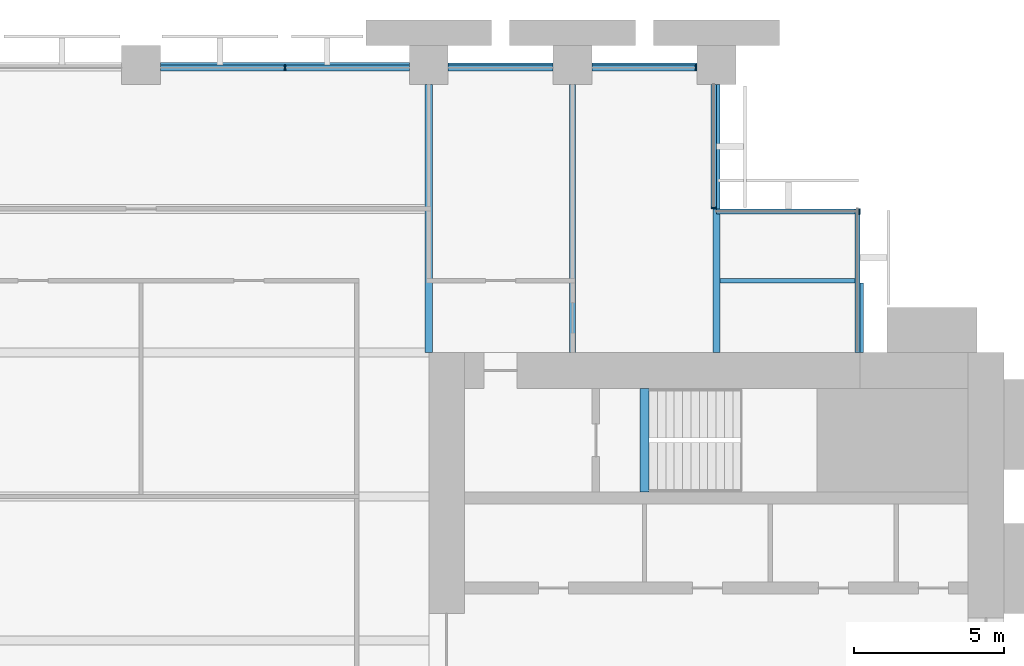
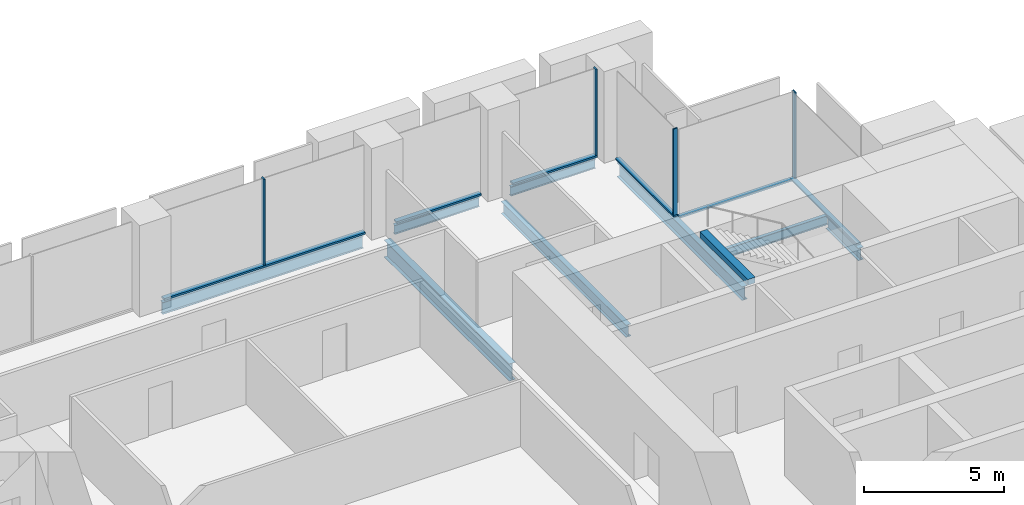
# One storey, part 7 of 14: 10 members, 9 beams, 4 elements without a shape of their own.
"""IFC4 building model written with IfcOpenShell, lengths in metres."""

from ifc_helpers import new_model, si_unit, direction, frame, origin, origin_2d, place, context, subcontext, project, spatial, rectangle, i_section, extrude, material, material_profile, profile_set, type_object, element, aggregate, save


model = new_model("IFC4")

# Units and contexts
model_context = context("Model", 3, precision=1e-05, world=origin(), true_north=direction((0.0, 1.0)))
body_context = subcontext(model_context, "Body", "Model", "MODEL_VIEW")
ifc_project = project(units=[si_unit("LENGTHUNIT", "METRE"), si_unit("AREAUNIT", "SQUARE_METRE"), si_unit("VOLUMEUNIT", "CUBIC_METRE"), si_unit("PLANEANGLEUNIT", "RADIAN"), si_unit("MASSUNIT", "GRAM", prefix="KILO")], contexts=[model_context])

# Site, building, storey
site_placement = place(None, origin())
site = spatial("IfcSite", under=ifc_project, at=site_placement, CompositionType="ELEMENT")
building_placement = place(site_placement, origin())
building = spatial("IfcBuilding", under=site, at=building_placement, Name="Baori Bourse Tower", CompositionType="ELEMENT")
storey_placement = place(building_placement, frame((0.0, 0.0, 43.0)))
storey = spatial("IfcBuildingStorey", under=building, at=storey_placement, Name="L08", CompositionType="ELEMENT", Elevation=43.0)

# Curtain wall, members
ifc_material_1 = material(Name="Pale anodised aluminium", Category="aluminium")
curtain_wall_type_1 = type_object("IfcCurtainWallType", Name="CW1 Curtain wall", PredefinedType="NOTDEFINED", material=ifc_material_1)
curtain_wall_1_placement = place(storey_placement, origin())
curtain_wall_1 = element("IfcCurtainWall", 1, at=curtain_wall_1_placement, inside=storey, type_object=curtain_wall_type_1, Name="Curtain wall CW1 L08 4", PredefinedType="NOTDEFINED")
ifc_material_2 = material(Name="Pale anodised aluminium", Category="aluminium")
ifc_material_profile_1 = material_profile(ifc_material_2, rectangle(XDim=0.199951171875, YDim=0.06005859375, at=origin_2d()), Name="Mullion 60x200")
ifc_profile_set_1 = profile_set([ifc_material_profile_1], Name="Pale anodised aluminium")
member_type_1 = type_object("IfcMemberType", Name="CW1 Curtain wall mullion", PredefinedType="MULLION", material=ifc_profile_set_1)
member_1_placement = place(storey_placement, frame((47.320068359375, 47.89990234375, 0.080078125), z_axis=(0.0, 0.0, 1.0), x_axis=(0.0, -1.0, 0.0)))
member_1 = element("IfcMember", 2, at=member_1_placement, type_object=member_type_1, Name="Curtain wall CW1 mullion", PredefinedType="MULLION", context=body_context, shape_type="SweptSolid", body=[
    extrude(rectangle(XDim=0.199951171875, YDim=0.06005859375, at=origin_2d()), origin(), (0.0, 0.0, 1.0), 3.760009765625),
])
member_2_placement = place(storey_placement, frame((33.60009765625, 47.89990234375, 0.080078125), z_axis=(0.0, 0.0, 1.0), x_axis=(0.0, -1.0, 0.0)))
member_2 = element("IfcMember", 3, at=member_2_placement, type_object=member_type_1, Name="Curtain wall CW1 mullion", PredefinedType="MULLION", context=body_context, shape_type="SweptSolid", body=[
    extrude(rectangle(XDim=0.199951171875, YDim=0.06005859375, at=origin_2d()), origin(), (0.0, 0.0, 1.0), 3.760009765625),
])
ifc_material_3 = material(Name="Pale anodised aluminium", Category="aluminium")
ifc_material_profile_2 = material_profile(ifc_material_3, rectangle(XDim=0.199951171875, YDim=0.080078125, at=origin_2d()), Name="Transom 80x200")
ifc_profile_set_2 = profile_set([ifc_material_profile_2], Name="Pale anodised aluminium")
member_type_2 = type_object("IfcMemberType", Name="CW1 Curtain wall transom", PredefinedType="USERDEFINED", material=ifc_profile_set_2)
member_3_placement = place(storey_placement, frame((47.35009765625, 47.89990234375, 0.0400390625), z_axis=(-1.0, 0.0, 0.0), x_axis=(0.0, -1.0, 0.0)))
member_3 = element("IfcMember", 4, at=member_3_placement, type_object=member_type_2, Name="Curtain wall CW1 sill rail", ObjectType="TRANSOM", PredefinedType="USERDEFINED", context=body_context, shape_type="SweptSolid", body=[
    extrude(rectangle(XDim=0.199951171875, YDim=0.080078125, at=origin_2d()), origin(), (0.0, 0.0, 1.0), 3.5),
])
member_4_placement = place(storey_placement, frame((42.550048828125, 47.89990234375, 0.0400390625), z_axis=(-1.0, 0.0, 0.0), x_axis=(0.0, -1.0, 0.0)))
member_4 = element("IfcMember", 5, at=member_4_placement, type_object=member_type_2, Name="Curtain wall CW1 sill rail", ObjectType="TRANSOM", PredefinedType="USERDEFINED", context=body_context, shape_type="SweptSolid", body=[
    extrude(rectangle(XDim=0.199951171875, YDim=0.080078125, at=origin_2d()), origin(), (0.0, 0.0, 1.0), 3.5),
])
member_5_placement = place(storey_placement, frame((37.75, 47.89990234375, 0.0400390625), z_axis=(-1.0, 0.0, 0.0), x_axis=(0.0, -1.0, 0.0)))
member_5 = element("IfcMember", 6, at=member_5_placement, type_object=member_type_2, Name="Curtain wall CW1 sill rail", ObjectType="TRANSOM", PredefinedType="USERDEFINED", context=body_context, shape_type="SweptSolid", body=[
    extrude(rectangle(XDim=0.199951171875, YDim=0.080078125, at=origin_2d()), origin(), (0.0, 0.0, 1.0), 8.300048828125),
])
aggregate(curtain_wall_1, [member_3, member_1, member_4, member_5, member_2])

# Curtain wall, member
ifc_material_4 = material(Name="Pale anodised aluminium", Category="aluminium")
curtain_wall_type_2 = type_object("IfcCurtainWallType", Name="CW2 Curtain wall", PredefinedType="NOTDEFINED", material=ifc_material_4)
curtain_wall_2_placement = place(storey_placement, origin())
curtain_wall_2 = element("IfcCurtainWall", 7, at=curtain_wall_2_placement, inside=storey, type_object=curtain_wall_type_2, Name="Curtain wall CW2 L08 2", PredefinedType="NOTDEFINED")
ifc_material_5 = material(Name="Pale anodised aluminium", Category="aluminium")
ifc_material_profile_3 = material_profile(ifc_material_5, rectangle(XDim=0.179931640625, YDim=0.054931640625, at=origin_2d()), Name="Mullion 55x180")
ifc_profile_set_3 = profile_set([ifc_material_profile_3], Name="Pale anodised aluminium")
member_type_3 = type_object("IfcMemberType", Name="CW2 Curtain wall mullion", PredefinedType="MULLION", material=ifc_profile_set_3)
member_6_placement = place(storey_placement, frame((52.7724609375, 43.110107421875, 0.070068359375), z_axis=(0.0, 0.0, 1.0), x_axis=(0.0, -1.0, 0.0)))
member_6 = element("IfcMember", 8, at=member_6_placement, type_object=member_type_3, Name="Curtain wall CW2 mullion", PredefinedType="MULLION", context=body_context, shape_type="SweptSolid", body=[
    extrude(rectangle(XDim=0.179931640625, YDim=0.054931640625, at=origin_2d()), origin(), (0.0, 0.0, 1.0), 3.77001953125),
])

curtain_wall_3_placement = place(storey_placement, origin())
curtain_wall_3 = element("IfcCurtainWall", 9, at=curtain_wall_3_placement, inside=storey, type_object=curtain_wall_type_2, Name="Curtain wall CW2 L08 3", PredefinedType="NOTDEFINED")
member_7_placement = place(storey_placement, frame((47.909912109375, 43.2275390625, 0.070068359375), z_axis=(0.0, 0.0, 1.0), x_axis=(-1.0, 0.0, 0.0)))
member_7 = element("IfcMember", 10, at=member_7_placement, type_object=member_type_3, Name="Curtain wall CW2 mullion", PredefinedType="MULLION", context=body_context, shape_type="SweptSolid", body=[
    extrude(rectangle(XDim=0.179931640625, YDim=0.054931640625, at=origin_2d()), origin(), (0.0, 0.0, 1.0), 3.77001953125),
])

curtain_wall_4_placement = place(storey_placement, origin())
curtain_wall_4 = element("IfcCurtainWall", 11, at=curtain_wall_4_placement, inside=storey, type_object=curtain_wall_type_2, Name="Curtain wall CW2 L08 1", PredefinedType="NOTDEFINED")
ifc_material_6 = material(Name="Pale anodised aluminium", Category="aluminium")
ifc_material_profile_4 = material_profile(ifc_material_6, rectangle(XDim=0.179931640625, YDim=0.070068359375, at=origin_2d()), Name="Transom 70x180")
ifc_profile_set_4 = profile_set([ifc_material_profile_4], Name="Pale anodised aluminium")
member_type_4 = type_object("IfcMemberType", Name="CW2 Curtain wall transom", PredefinedType="USERDEFINED", material=ifc_profile_set_4)
member_8_placement = place(storey_placement, frame((52.7099609375, 38.39990234375, 0.034912109375), z_axis=(0.0, 1.0, 0.0), x_axis=(-1.0, 0.0, 0.0)))
member_8 = element("IfcMember", 12, at=member_8_placement, type_object=member_type_4, Name="Curtain wall CW2 sill rail", ObjectType="TRANSOM", PredefinedType="USERDEFINED", context=body_context, shape_type="SweptSolid", body=[
    extrude(rectangle(XDim=0.179931640625, YDim=0.070068359375, at=origin_2d()), origin(), (0.0, 0.0, 1.0), 4.800048828125),
])
aggregate(curtain_wall_4, [member_8])

# Member
member_9_placement = place(storey_placement, frame((52.800048828125, 43.110107421875, 0.034912109375), z_axis=(-1.0, 0.0, 0.0), x_axis=(0.0, -1.0, 0.0)))
member_9 = element("IfcMember", 13, at=member_9_placement, type_object=member_type_4, Name="Curtain wall CW2 sill rail", ObjectType="TRANSOM", PredefinedType="USERDEFINED", context=body_context, shape_type="SweptSolid", body=[
    extrude(rectangle(XDim=0.179931640625, YDim=0.070068359375, at=origin_2d()), origin(), (0.0, 0.0, 1.0), 4.800048828125),
])

aggregate(curtain_wall_2, [member_9, member_6])

member_10_placement = place(storey_placement, frame((47.909912109375, 43.199951171875, 0.034912109375), z_axis=(0.0, 1.0, 0.0), x_axis=(-1.0, 0.0, 0.0)))
member_10 = element("IfcMember", 14, at=member_10_placement, type_object=member_type_4, Name="Curtain wall CW2 sill rail", ObjectType="TRANSOM", PredefinedType="USERDEFINED", context=body_context, shape_type="SweptSolid", body=[
    extrude(rectangle(XDim=0.179931640625, YDim=0.070068359375, at=origin_2d()), origin(), (0.0, 0.0, 1.0), 4.150146484375),
])

aggregate(curtain_wall_3, [member_10, member_7])

# Beams
ifc_material_7 = material(Name="Steel A992 Gr 50", Category="steel")
ifc_material_profile_5 = material_profile(ifc_material_7, i_section(OverallWidth=0.21240234375, OverallDepth=0.54345703125, WebThickness=0.01318359375, FlangeThickness=0.021240234375, at=origin_2d()), Name="W21x83")
ifc_profile_set_5 = profile_set([ifc_material_profile_5], Name="Steel A992 Gr 50")
beam_type_1 = type_object("IfcBeamType", Name="Core bracket W21x83", PredefinedType="BEAM", material=ifc_profile_set_5)
beam_1_placement = place(storey_placement, frame((52.800048828125, 38.39990234375, -0.431884765625), z_axis=(0.0, 1.0, 0.0), x_axis=(-1.0, 0.0, 0.0)))
element("IfcBeam", 15, at=beam_1_placement, inside=storey, type_object=beam_type_1, Name="Core bracket L08", PredefinedType="BEAM", context=body_context, shape_type="SweptSolid", body=[
    extrude(i_section(OverallWidth=0.21240234375, OverallDepth=0.54345703125, WebThickness=0.01318359375, FlangeThickness=0.021240234375, at=origin_2d()), origin(), (0.0, 0.0, 1.0), 2.329833984375),
])
ifc_material_8 = material(Name="Steel A992 Gr 50", Category="steel")
ifc_material_profile_6 = material_profile(ifc_material_8, i_section(OverallWidth=0.140380859375, OverallDepth=0.40380859375, WebThickness=0.007080078125, FlangeThickness=0.01123046875, at=origin_2d()), Name="W16x31")
ifc_profile_set_6 = profile_set([ifc_material_profile_6], Name="Steel A992 Gr 50")
beam_type_2 = type_object("IfcBeamType", Name="Edge beam W16x31", PredefinedType="BEAM", material=ifc_profile_set_6)
for number, where, z_axis, x_axis, name in (
    (16, (39.050048828125, 48.0, -0.36181640625), (1.0, 0.0, 0.0), (0.0, 1.0, 0.0), "Edge beam L08"),
    (17, (43.85009765625, 48.0, -0.36181640625), (1.0, 0.0, 0.0), (0.0, 1.0, 0.0), "Edge beam L08"),
):
    element("IfcBeam", number, at=place(storey_placement, frame(where, z_axis=z_axis, x_axis=x_axis)), inside=storey, type_object=beam_type_2, Name=name, PredefinedType="BEAM", context=body_context, shape_type="SweptSolid", body=[
        extrude(i_section(OverallWidth=0.140380859375, OverallDepth=0.40380859375, WebThickness=0.007080078125, FlangeThickness=0.01123046875, at=origin_2d()), origin(), (0.0, 0.0, 1.0), 3.5),
    ])
ifc_material_9 = material(Name="Steel A992 Gr 50", Category="steel")
ifc_material_profile_7 = material_profile(ifc_material_9, i_section(OverallWidth=0.1650390625, OverallDepth=0.52587890625, WebThickness=0.0087890625, FlangeThickness=0.011474609375, at=origin_2d()), Name="W21x44")
ifc_profile_set_7 = profile_set([ifc_material_profile_7], Name="Steel A992 Gr 50")
beam_type_3 = type_object("IfcBeamType", Name="Edge beam W21x44", PredefinedType="BEAM", material=ifc_profile_set_7)
beam_2_placement = place(storey_placement, frame((29.449951171875, 48.0, -0.4228515625), z_axis=(1.0, 0.0, 0.0), x_axis=(0.0, 1.0, 0.0)))
element("IfcBeam", 18, at=beam_2_placement, inside=storey, type_object=beam_type_3, Name="Edge beam L08", PredefinedType="BEAM", context=body_context, shape_type="SweptSolid", body=[
    extrude(i_section(OverallWidth=0.1650390625, OverallDepth=0.52587890625, WebThickness=0.0087890625, FlangeThickness=0.011474609375, at=origin_2d()), origin(), (0.0, 0.0, 1.0), 8.300048828125),
])
ifc_material_10 = material(Name="Steel A992 Gr 50", Category="steel")
ifc_material_profile_8 = material_profile(ifc_material_10, i_section(OverallWidth=0.209228515625, OverallDepth=0.533447265625, WebThickness=0.01025390625, FlangeThickness=0.015625, at=origin_2d()), Name="W21x62")
ifc_profile_set_8 = profile_set([ifc_material_profile_8], Name="Steel A992 Gr 50")
beam_type_4 = type_object("IfcBeamType", Name="Floor beam W21x62", PredefinedType="BEAM", material=ifc_profile_set_8)
beam_3_placement = place(storey_placement, frame((43.199951171875, 38.39990234375, -0.4267578125), z_axis=(0.0, 1.0, 0.0), x_axis=(-1.0, 0.0, 0.0)))
element("IfcBeam", 19, at=beam_3_placement, inside=storey, type_object=beam_type_4, Name="Floor beam L08", PredefinedType="BEAM", context=body_context, shape_type="SweptSolid", body=[
    extrude(i_section(OverallWidth=0.209228515625, OverallDepth=0.533447265625, WebThickness=0.01025390625, FlangeThickness=0.015625, at=origin_2d()), origin(), (0.0, 0.0, 1.0), 8.9501953125),
])
ifc_material_11 = material(Name="Steel A992 Gr 50", Category="steel")
ifc_material_profile_9 = material_profile(ifc_material_11, i_section(OverallWidth=0.227783203125, OverallDepth=0.60205078125, WebThickness=0.010498046875, FlangeThickness=0.014892578125, at=origin_2d()), Name="W24x68")
ifc_profile_set_9 = profile_set([ifc_material_profile_9], Name="Steel A992 Gr 50")
beam_type_5 = type_object("IfcBeamType", Name="Floor beam W24x68", PredefinedType="BEAM", material=ifc_profile_set_9)
beam_4_placement = place(storey_placement, frame((48.0, 38.39990234375, -0.4609375), z_axis=(0.0, 1.0, 0.0), x_axis=(-1.0, 0.0, 0.0)))
element("IfcBeam", 20, at=beam_4_placement, inside=storey, type_object=beam_type_5, Name="Floor beam L08", PredefinedType="BEAM", context=body_context, shape_type="SweptSolid", body=[
    extrude(i_section(OverallWidth=0.227783203125, OverallDepth=0.60205078125, WebThickness=0.010498046875, FlangeThickness=0.014892578125, at=origin_2d()), origin(), (0.0, 0.0, 1.0), 8.9501953125),
])
ifc_material_12 = material(Name="Steel A992 Gr 50", Category="steel")
ifc_material_profile_10 = material_profile(ifc_material_12, i_section(OverallWidth=0.2666015625, OverallDepth=0.7568359375, WebThickness=0.013916015625, FlangeThickness=0.019287109375, at=origin_2d()), Name="W30x108")
ifc_profile_set_10 = profile_set([ifc_material_profile_10], Name="Steel A992 Gr 50")
beam_type_6 = type_object("IfcBeamType", Name="Girder W30x108", PredefinedType="BEAM", material=ifc_profile_set_10)
beam_5_placement = place(storey_placement, frame((38.39990234375, 38.39990234375, -0.53857421875), z_axis=(0.0, 1.0, 0.0), x_axis=(-1.0, 0.0, 0.0)))
element("IfcBeam", 21, at=beam_5_placement, inside=storey, type_object=beam_type_6, Name="Girder L08", PredefinedType="BEAM", context=body_context, shape_type="SweptSolid", body=[
    extrude(i_section(OverallWidth=0.2666015625, OverallDepth=0.7568359375, WebThickness=0.013916015625, FlangeThickness=0.019287109375, at=origin_2d()), origin(), (0.0, 0.0, 1.0), 8.9501953125),
])
ifc_material_13 = material(Name="Concrete f'c 50 MPa", Category="concrete")
ifc_material_profile_11 = material_profile(ifc_material_13, rectangle(XDim=0.300048828125, YDim=0.25, at=origin_2d()), Name="RC 300x250")
ifc_profile_set_11 = profile_set([ifc_material_profile_11], Name="Concrete f'c 50 MPa")
beam_type_7 = type_object("IfcBeamType", Name="Stair nib beam RC 300x250", PredefinedType="BEAM", material=ifc_profile_set_11)
beam_6_placement = place(storey_placement, frame((45.60009765625, 33.75, 3.715087890625), z_axis=(0.0, 1.0, 0.0), x_axis=(-1.0, 0.0, 0.0)))
element("IfcBeam", 22, at=beam_6_placement, inside=storey, type_object=beam_type_7, Name="Stair EB nib beam L09", PredefinedType="BEAM", context=body_context, shape_type="SweptSolid", body=[
    extrude(rectangle(XDim=0.300048828125, YDim=0.25, at=origin_2d()), origin(), (0.0, 0.0, 1.0), 3.449951171875),
])
ifc_material_14 = material(Name="Steel A992 Gr 50", Category="steel")
ifc_material_profile_12 = material_profile(ifc_material_14, i_section(OverallWidth=0.140380859375, OverallDepth=0.40380859375, WebThickness=0.007080078125, FlangeThickness=0.01123046875, at=origin_2d()), Name="W16x31")
ifc_profile_set_12 = profile_set([ifc_material_profile_12], Name="Steel A992 Gr 50")
beam_type_8 = type_object("IfcBeamType", Name="Trimmer beam W16x31", PredefinedType="BEAM", material=ifc_profile_set_12)
beam_7_placement = place(storey_placement, frame((48.114013671875, 40.800048828125, -0.36181640625), z_axis=(1.0, 0.0, 0.0), x_axis=(0.0, 1.0, 0.0)))
element("IfcBeam", 23, at=beam_7_placement, inside=storey, type_object=beam_type_8, Name="Trimmer beam L08", PredefinedType="BEAM", context=body_context, shape_type="SweptSolid", body=[
    extrude(i_section(OverallWidth=0.140380859375, OverallDepth=0.40380859375, WebThickness=0.007080078125, FlangeThickness=0.01123046875, at=origin_2d()), origin(), (0.0, 0.0, 1.0), 4.68603515625),
])

save(model, "model.ifc")
